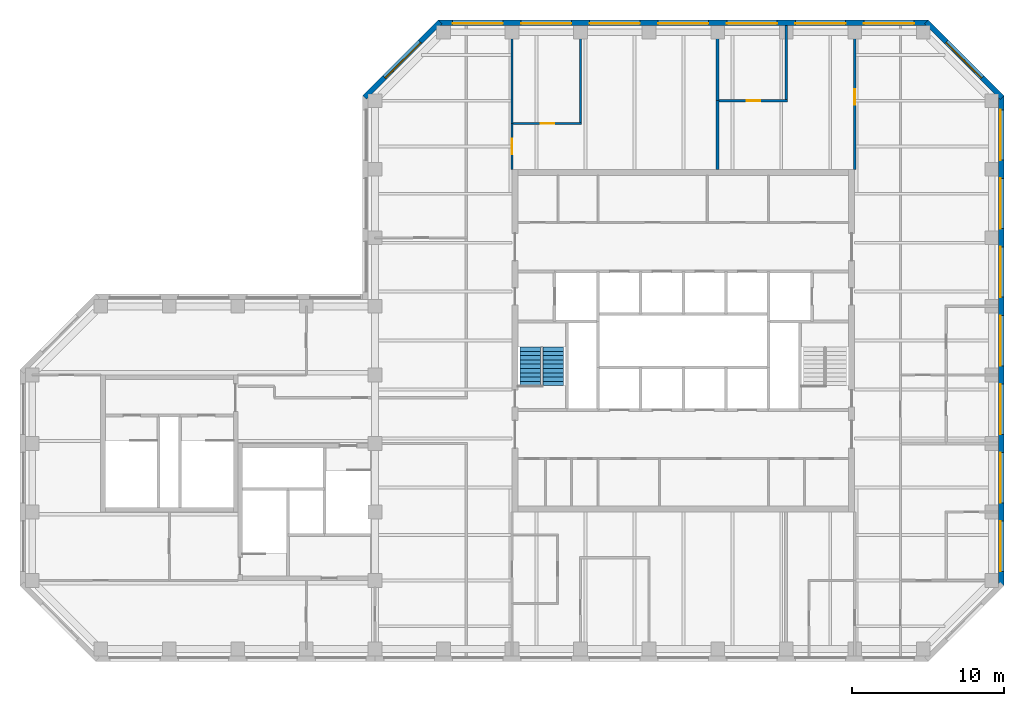
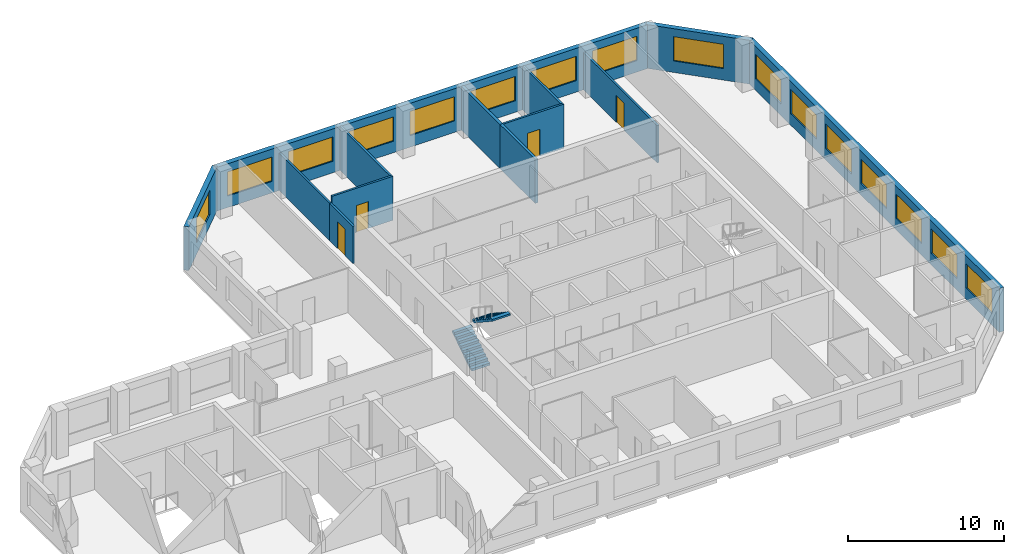
# One storey, part 7 of 9: 16 windows, 13 walls, 4 doors, 2 stair flights, 20 openings, 1 element without a shape of its own.
"""IFC4 building model written with IfcOpenShell, lengths in metres."""

from ifc_helpers import new_model, si_unit, direction, frame, frame_2d, origin, place, context, subcontext, project, spatial, polyline, rectangle, outline, extrude, material, layer, layer_set, constituent, constituent_set, type_object, element, fill, aggregate, save


model = new_model("IFC4")

# Units and contexts
model_context = context("Model", 3, precision=1e-05, world=origin(), true_north=direction((0.0, 1.0)))
body_context = subcontext(model_context, "Body", "Model", "MODEL_VIEW")
ifc_project = project(units=[si_unit("LENGTHUNIT", "METRE"), si_unit("AREAUNIT", "SQUARE_METRE"), si_unit("VOLUMEUNIT", "CUBIC_METRE"), si_unit("PLANEANGLEUNIT", "RADIAN"), si_unit("MASSUNIT", "GRAM", prefix="KILO")], contexts=[model_context])

# Site, building, storey
site_placement = place(None, origin())
site = spatial("IfcSite", under=ifc_project, at=site_placement, CompositionType="ELEMENT")
building_placement = place(site_placement, origin())
building = spatial("IfcBuilding", under=site, at=building_placement, Name="Quoin Convention Tower", CompositionType="ELEMENT")
storey_placement = place(building_placement, frame((0.0, 0.0, 260.0)))
storey = spatial("IfcBuildingStorey", under=building, at=storey_placement, Name="L68", CompositionType="ELEMENT", Elevation=260.0)

# Wall, opening, door
ifc_material_1 = material(Name="Plasterboard")
ifc_layer_1 = layer(ifc_material_1, 0.012451171875, Name="Finish")
ifc_material_2 = material(Name="Steel stud framing", Category="steel")
ifc_layer_2 = layer(ifc_material_2, 0.125, Name="Structure")
ifc_layer_3 = layer(ifc_material_1, 0.012451171875, Name="Finish")
ifc_layer_set_1 = layer_set([ifc_layer_1, ifc_layer_2, ifc_layer_3], Name="Steel stud framing")
wall_type_1 = type_object("IfcWallType", Name="Acoustic partition 150", PredefinedType="PARTITIONING", material=ifc_layer_set_1)
wall_1_placement = place(storey_placement, frame((45.074951171875, 75.0, 0.0), z_axis=(0.0, 0.0, 1.0), x_axis=(1.0, 0.0, 0.0)))
wall_1 = element("IfcWall", 1, at=wall_1_placement, inside=storey, type_object=wall_type_1, Name="pw-L68-018", PredefinedType="PARTITIONING", context=body_context, shape_type="SweptSolid", body=[
    extrude(rectangle(XDim=4.5, YDim=0.14990234375, at=frame_2d((2.25, 0.0))), origin(), (0.0, 0.0, 1.0), 3.449951171875),
])
opening_1_placement = place(wall_1_placement, frame((1.800048828125, 0.0, 0.0)))
opening_1 = element("IfcOpeningElement", 2, at=opening_1_placement, cuts=wall_1, Name="Opening DOHS-05", PredefinedType="OPENING", context=body_context, shape_type="SweptSolid", body=[
    extrude(rectangle(XDim=0.89990234375, YDim=2.10009765625, at=frame_2d((0.449951171875, 1.050048828125))), frame((0.0, 0.0849609375, 0.0), z_axis=(0.0, -1.0, 0.0), x_axis=(1.0, 0.0, 0.0)), (0.0, 0.0, 1.0), 0.169921875),
])
ifc_material_3 = material(Name="Steel door leaf", Category="steel")
door_type_1 = type_object("IfcDoorType", Name="Office door 900 x 2100", OperationType="SINGLE_SWING_RIGHT", PredefinedType="DOOR", material=ifc_material_3)
door_1_placement = place(opening_1_placement, frame((0.89990234375, 0.0, 0.0), z_axis=(0.0, 0.0, 1.0), x_axis=(-1.0, 0.0, 0.0)))
door_1 = element("IfcDoor", 3, at=door_1_placement, inside=storey, type_object=door_type_1, Name="dr-L68-11", OperationType="SINGLE_SWING_LEFT", OverallHeight=2.10009765625, OverallWidth=0.89990234375, PredefinedType="DOOR", context=body_context, shape_type="SweptSolid", body=[
    extrude(rectangle(XDim=0.89990234375, YDim=2.10009765625, at=frame_2d((0.449951171875, 1.050048828125))), frame((0.0, 0.02490234375, 0.0), z_axis=(0.0, -1.0, 0.0), x_axis=(1.0, 0.0, 0.0)), (0.0, 0.0, 1.0), 0.050048828125),
])
fill(opening_1, door_1)

wall_2_placement = place(storey_placement, frame((58.60009765625, 76.5, 0.0), z_axis=(0.0, 0.0, 1.0), x_axis=(1.0, 0.0, 0.0)))
wall_2 = element("IfcWall", 4, at=wall_2_placement, inside=storey, type_object=wall_type_1, Name="pw-L68-019", PredefinedType="PARTITIONING", context=body_context, shape_type="SweptSolid", body=[
    extrude(rectangle(XDim=4.474853515625, YDim=0.14990234375, at=frame_2d((2.2373046875, 0.0))), origin(), (0.0, 0.0, 1.0), 3.449951171875),
])
opening_2_placement = place(wall_2_placement, frame((1.800048828125, 0.0, 0.0)))
opening_2 = element("IfcOpeningElement", 5, at=opening_2_placement, cuts=wall_2, Name="Opening DOHS-06", PredefinedType="OPENING", context=body_context, shape_type="SweptSolid", body=[
    extrude(rectangle(XDim=0.89990234375, YDim=2.10009765625, at=frame_2d((0.449951171875, 1.050048828125))), frame((0.0, 0.0849609375, 0.0), z_axis=(0.0, -1.0, 0.0), x_axis=(1.0, 0.0, 0.0)), (0.0, 0.0, 1.0), 0.169921875),
])
door_2_placement = place(opening_2_placement, frame((0.89990234375, 0.0, 0.0), z_axis=(0.0, 0.0, 1.0), x_axis=(-1.0, 0.0, 0.0)))
door_2 = element("IfcDoor", 6, at=door_2_placement, inside=storey, type_object=door_type_1, Name="dr-L68-13", OperationType="SINGLE_SWING_LEFT", OverallHeight=2.10009765625, OverallWidth=0.89990234375, PredefinedType="DOOR", context=body_context, shape_type="SweptSolid", body=[
    extrude(rectangle(XDim=0.89990234375, YDim=2.10009765625, at=frame_2d((0.449951171875, 1.050048828125))), frame((0.0, 0.02490234375, 0.0), z_axis=(0.0, -1.0, 0.0), x_axis=(1.0, 0.0, 0.0)), (0.0, 0.0, 1.0), 0.050048828125),
])
fill(opening_2, door_2)

# Walls
wall_3_placement = place(storey_placement, frame((49.5, 75.074951171875, 0.0), z_axis=(0.0, 0.0, 1.0), x_axis=(0.0, 1.0, 0.0)))
element("IfcWall", 7, at=wall_3_placement, inside=storey, type_object=wall_type_1, Name="pw-L68-048", PredefinedType="PARTITIONING", context=body_context, shape_type="SweptSolid", body=[
    extrude(rectangle(XDim=6.375, YDim=0.14990234375, at=frame_2d((3.1875, 0.0))), origin(), (0.0, 0.0, 1.0), 3.449951171875),
])
wall_4_placement = place(storey_placement, frame((63.0, 76.574951171875, 0.0), z_axis=(0.0, 0.0, 1.0), x_axis=(0.0, 1.0, 0.0)))
element("IfcWall", 8, at=wall_4_placement, inside=storey, type_object=wall_type_1, Name="pw-L68-050", PredefinedType="PARTITIONING", context=body_context, shape_type="SweptSolid", body=[
    extrude(rectangle(XDim=4.875, YDim=0.14990234375, at=frame_2d((2.4375, 0.0))), origin(), (0.0, 0.0, 1.0), 3.449951171875),
])

# Wall, openings, windows
ifc_material_4 = material(Name="Brick masonry", Category="masonry")
ifc_layer_4 = layer(ifc_material_4, 0.35009765625)
ifc_layer_set_2 = layer_set([ifc_layer_4], Name="Brick masonry")
wall_type_2 = type_object("IfcWallType", Name="Brick facade wall", PredefinedType="STANDARD", material=ifc_layer_set_2)
wall_5_placement = place(storey_placement, frame((77.125, 44.668701171875, 0.0), z_axis=(0.0, 0.0, 1.0), x_axis=(0.0, 1.0, 0.0)))
wall_5 = element("IfcWall", 9, at=wall_5_placement, inside=storey, type_object=wall_type_2, Name="fw-L68-76500_45000", PredefinedType="STANDARD", context=body_context, shape_type="SweptSolid", body=[
    extrude(rectangle(XDim=32.16259765625, YDim=0.35009765625, at=frame_2d((16.081298828125, 0.0))), origin(), (0.0, 0.0, 1.0), 3.425048828125),
])
opening_3_placement = place(wall_5_placement, frame((0.931396484375, 0.0, 0.89990234375)))
opening_3 = element("IfcOpeningElement", 10, at=opening_3_placement, cuts=wall_5, Name="Opening W-02", PredefinedType="OPENING", context=body_context, shape_type="SweptSolid", body=[
    extrude(rectangle(XDim=3.300048828125, YDim=1.89990234375, at=frame_2d((1.64990234375, 0.949951171875))), frame((0.0, 0.18505859375, 0.0), z_axis=(0.0, -1.0, 0.0), x_axis=(1.0, 0.0, 0.0)), (0.0, 0.0, 1.0), 0.3701171875),
])
opening_4_placement = place(wall_5_placement, frame((5.431396484375, 0.0, 0.89990234375)))
opening_4 = element("IfcOpeningElement", 11, at=opening_4_placement, cuts=wall_5, Name="Opening W-02", PredefinedType="OPENING", context=body_context, shape_type="SweptSolid", body=[
    extrude(rectangle(XDim=3.300048828125, YDim=1.89990234375, at=frame_2d((1.64990234375, 0.949951171875))), frame((0.0, 0.18505859375, 0.0), z_axis=(0.0, -1.0, 0.0), x_axis=(1.0, 0.0, 0.0)), (0.0, 0.0, 1.0), 0.3701171875),
])
opening_5_placement = place(wall_5_placement, frame((9.931396484375, 0.0, 0.89990234375)))
opening_5 = element("IfcOpeningElement", 12, at=opening_5_placement, cuts=wall_5, Name="Opening W-02", PredefinedType="OPENING", context=body_context, shape_type="SweptSolid", body=[
    extrude(rectangle(XDim=3.300048828125, YDim=1.89990234375, at=frame_2d((1.64990234375, 0.949951171875))), frame((0.0, 0.18505859375, 0.0), z_axis=(0.0, -1.0, 0.0), x_axis=(1.0, 0.0, 0.0)), (0.0, 0.0, 1.0), 0.3701171875),
])
opening_6_placement = place(wall_5_placement, frame((14.431396484375, 0.0, 0.89990234375)))
opening_6 = element("IfcOpeningElement", 13, at=opening_6_placement, cuts=wall_5, Name="Opening W-02", PredefinedType="OPENING", context=body_context, shape_type="SweptSolid", body=[
    extrude(rectangle(XDim=3.300048828125, YDim=1.89990234375, at=frame_2d((1.64990234375, 0.949951171875))), frame((0.0, 0.18505859375, 0.0), z_axis=(0.0, -1.0, 0.0), x_axis=(1.0, 0.0, 0.0)), (0.0, 0.0, 1.0), 0.3701171875),
])
opening_7_placement = place(wall_5_placement, frame((18.931396484375, 0.0, 0.89990234375)))
opening_7 = element("IfcOpeningElement", 14, at=opening_7_placement, cuts=wall_5, Name="Opening W-02", PredefinedType="OPENING", context=body_context, shape_type="SweptSolid", body=[
    extrude(rectangle(XDim=3.300048828125, YDim=1.89990234375, at=frame_2d((1.64990234375, 0.949951171875))), frame((0.0, 0.18505859375, 0.0), z_axis=(0.0, -1.0, 0.0), x_axis=(1.0, 0.0, 0.0)), (0.0, 0.0, 1.0), 0.3701171875),
])
opening_8_placement = place(wall_5_placement, frame((23.431396484375, 0.0, 0.89990234375)))
opening_8 = element("IfcOpeningElement", 15, at=opening_8_placement, cuts=wall_5, Name="Opening W-02", PredefinedType="OPENING", context=body_context, shape_type="SweptSolid", body=[
    extrude(rectangle(XDim=3.300048828125, YDim=1.89990234375, at=frame_2d((1.64990234375, 0.949951171875))), frame((0.0, 0.18505859375, 0.0), z_axis=(0.0, -1.0, 0.0), x_axis=(1.0, 0.0, 0.0)), (0.0, 0.0, 1.0), 0.3701171875),
])
opening_9_placement = place(wall_5_placement, frame((27.931396484375, 0.0, 0.89990234375)))
opening_9 = element("IfcOpeningElement", 16, at=opening_9_placement, cuts=wall_5, Name="Opening W-02", PredefinedType="OPENING", context=body_context, shape_type="SweptSolid", body=[
    extrude(rectangle(XDim=3.300048828125, YDim=1.89990234375, at=frame_2d((1.64990234375, 0.949951171875))), frame((0.0, 0.18505859375, 0.0), z_axis=(0.0, -1.0, 0.0), x_axis=(1.0, 0.0, 0.0)), (0.0, 0.0, 1.0), 0.3701171875),
])
ifc_material_5 = material(Name="Aluminium", Category="aluminium")
ifc_constituent_1 = constituent(ifc_material_5, Name="Frame")
ifc_material_6 = material(Name="Insulated glass", Category="glass")
ifc_constituent_2 = constituent(ifc_material_6, Name="Glazing")
ifc_constituent_set = constituent_set(constituents=[ifc_constituent_1, ifc_constituent_2], Name="Aluminium")
window_type = type_object("IfcWindowType", Name="Office window", PartitioningType="DOUBLE_PANEL_VERTICAL", PredefinedType="WINDOW", material=ifc_constituent_set)
window_1_placement = place(opening_3_placement, origin())
window_1 = element("IfcWindow", 17, at=window_1_placement, inside=storey, type_object=window_type, Name="win-L68-77125_47250", OverallHeight=1.89990234375, OverallWidth=3.300048828125, PartitioningType="SINGLE_PANEL", PredefinedType="WINDOW", context=body_context, shape_type="SweptSolid", body=[
    extrude(rectangle(XDim=3.300048828125, YDim=1.89990234375, at=frame_2d((1.64990234375, 0.949951171875))), frame((0.0, 0.0849609375, 0.0), z_axis=(0.0, -1.0, 0.0), x_axis=(1.0, 0.0, 0.0)), (0.0, 0.0, 1.0), 0.06005859375),
])
fill(opening_3, window_1)
window_2_placement = place(opening_4_placement, origin())
window_2 = element("IfcWindow", 18, at=window_2_placement, inside=storey, type_object=window_type, Name="win-L68-77125_51750", OverallHeight=1.89990234375, OverallWidth=3.300048828125, PartitioningType="SINGLE_PANEL", PredefinedType="WINDOW", context=body_context, shape_type="SweptSolid", body=[
    extrude(rectangle(XDim=3.300048828125, YDim=1.89990234375, at=frame_2d((1.64990234375, 0.949951171875))), frame((0.0, 0.0849609375, 0.0), z_axis=(0.0, -1.0, 0.0), x_axis=(1.0, 0.0, 0.0)), (0.0, 0.0, 1.0), 0.06005859375),
])
fill(opening_4, window_2)
window_3_placement = place(opening_5_placement, origin())
window_3 = element("IfcWindow", 19, at=window_3_placement, inside=storey, type_object=window_type, Name="win-L68-77125_56250", OverallHeight=1.89990234375, OverallWidth=3.300048828125, PartitioningType="SINGLE_PANEL", PredefinedType="WINDOW", context=body_context, shape_type="SweptSolid", body=[
    extrude(rectangle(XDim=3.300048828125, YDim=1.89990234375, at=frame_2d((1.64990234375, 0.949951171875))), frame((0.0, 0.0849609375, 0.0), z_axis=(0.0, -1.0, 0.0), x_axis=(1.0, 0.0, 0.0)), (0.0, 0.0, 1.0), 0.06005859375),
])
fill(opening_5, window_3)
window_4_placement = place(opening_6_placement, origin())
window_4 = element("IfcWindow", 20, at=window_4_placement, inside=storey, type_object=window_type, Name="win-L68-77125_60750", OverallHeight=1.89990234375, OverallWidth=3.300048828125, PartitioningType="SINGLE_PANEL", PredefinedType="WINDOW", context=body_context, shape_type="SweptSolid", body=[
    extrude(rectangle(XDim=3.300048828125, YDim=1.89990234375, at=frame_2d((1.64990234375, 0.949951171875))), frame((0.0, 0.0849609375, 0.0), z_axis=(0.0, -1.0, 0.0), x_axis=(1.0, 0.0, 0.0)), (0.0, 0.0, 1.0), 0.06005859375),
])
fill(opening_6, window_4)
window_5_placement = place(opening_7_placement, origin())
window_5 = element("IfcWindow", 21, at=window_5_placement, inside=storey, type_object=window_type, Name="win-L68-77125_65250", OverallHeight=1.89990234375, OverallWidth=3.300048828125, PartitioningType="SINGLE_PANEL", PredefinedType="WINDOW", context=body_context, shape_type="SweptSolid", body=[
    extrude(rectangle(XDim=3.300048828125, YDim=1.89990234375, at=frame_2d((1.64990234375, 0.949951171875))), frame((0.0, 0.0849609375, 0.0), z_axis=(0.0, -1.0, 0.0), x_axis=(1.0, 0.0, 0.0)), (0.0, 0.0, 1.0), 0.06005859375),
])
fill(opening_7, window_5)
window_6_placement = place(opening_8_placement, origin())
window_6 = element("IfcWindow", 22, at=window_6_placement, inside=storey, type_object=window_type, Name="win-L68-77125_69750", OverallHeight=1.89990234375, OverallWidth=3.300048828125, PartitioningType="SINGLE_PANEL", PredefinedType="WINDOW", context=body_context, shape_type="SweptSolid", body=[
    extrude(rectangle(XDim=3.300048828125, YDim=1.89990234375, at=frame_2d((1.64990234375, 0.949951171875))), frame((0.0, 0.0849609375, 0.0), z_axis=(0.0, -1.0, 0.0), x_axis=(1.0, 0.0, 0.0)), (0.0, 0.0, 1.0), 0.06005859375),
])
fill(opening_8, window_6)
window_7_placement = place(opening_9_placement, origin())
window_7 = element("IfcWindow", 23, at=window_7_placement, inside=storey, type_object=window_type, Name="win-L68-77125_74250", OverallHeight=1.89990234375, OverallWidth=3.300048828125, PartitioningType="SINGLE_PANEL", PredefinedType="WINDOW", context=body_context, shape_type="SweptSolid", body=[
    extrude(rectangle(XDim=3.300048828125, YDim=1.89990234375, at=frame_2d((1.64990234375, 0.949951171875))), frame((0.0, 0.0849609375, 0.0), z_axis=(0.0, -1.0, 0.0), x_axis=(1.0, 0.0, 0.0)), (0.0, 0.0, 1.0), 0.06005859375),
])
fill(opening_9, window_7)

# Wall, opening, window
wall_6_placement = place(storey_placement, frame((77.17626953125, 76.70751953125, 0.0), z_axis=(0.0, 0.0, 1.0), x_axis=(-0.707106781187, 0.707106781187, 0.0)))
wall_6 = element("IfcWall", 24, at=wall_6_placement, inside=storey, type_object=wall_type_2, Name="fw-L68-76500_76500", PredefinedType="STANDARD", context=body_context, shape_type="SweptSolid", body=[
    extrude(rectangle(XDim=7.02685546875, YDim=0.35009765625, at=frame_2d((3.513427734375, 0.0))), origin(), (0.0, 0.0, 1.0), 3.425048828125),
])
opening_10_placement = place(wall_6_placement, frame((1.86328125, 0.0, 0.89990234375)))
opening_10 = element("IfcOpeningElement", 25, at=opening_10_placement, cuts=wall_6, Name="Opening W-02", PredefinedType="OPENING", context=body_context, shape_type="SweptSolid", body=[
    extrude(rectangle(XDim=3.300048828125, YDim=1.89990234375, at=frame_2d((1.64990234375, 0.949951171875))), frame((0.0, 0.18505859375, 0.0), z_axis=(0.0, -1.0, 0.0), x_axis=(1.0, 0.0, 0.0)), (0.0, 0.0, 1.0), 0.3701171875),
])
window_8_placement = place(opening_10_placement, origin())
window_8 = element("IfcWindow", 26, at=window_8_placement, inside=storey, type_object=window_type, Name="win-L68-74692_79192", OverallHeight=1.89990234375, OverallWidth=3.300048828125, PartitioningType="SINGLE_PANEL", PredefinedType="WINDOW", context=body_context, shape_type="SweptSolid", body=[
    extrude(rectangle(XDim=3.300048828125, YDim=1.89990234375, at=frame_2d((1.64990234375, 0.949951171875))), frame((0.0, 0.0849609375, 0.0), z_axis=(0.0, -1.0, 0.0), x_axis=(1.0, 0.0, 0.0)), (0.0, 0.0, 1.0), 0.06005859375),
])
fill(opening_10, window_8)

# Wall, openings, windows
wall_7_placement = place(storey_placement, frame((72.331298828125, 81.625, 0.0), z_axis=(0.0, 0.0, 1.0), x_axis=(-1.0, 0.0, 0.0)))
wall_7 = element("IfcWall", 27, at=wall_7_placement, inside=storey, type_object=wall_type_2, Name="fw-L68-72000_81000", PredefinedType="STANDARD", context=body_context, shape_type="SweptSolid", body=[
    extrude(rectangle(XDim=32.16259765625, YDim=0.35009765625, at=frame_2d((16.081298828125, 0.0))), origin(), (0.0, 0.0, 1.0), 3.425048828125),
])
opening_11_placement = place(wall_7_placement, frame((0.931396484375, 0.0, 0.89990234375)))
opening_11 = element("IfcOpeningElement", 28, at=opening_11_placement, cuts=wall_7, Name="Opening W-02", PredefinedType="OPENING", context=body_context, shape_type="SweptSolid", body=[
    extrude(rectangle(XDim=3.300048828125, YDim=1.89990234375, at=frame_2d((1.64990234375, 0.949951171875))), frame((0.0, 0.18505859375, 0.0), z_axis=(0.0, -1.0, 0.0), x_axis=(1.0, 0.0, 0.0)), (0.0, 0.0, 1.0), 0.3701171875),
])
opening_12_placement = place(wall_7_placement, frame((5.431396484375, 0.0, 0.89990234375)))
opening_12 = element("IfcOpeningElement", 29, at=opening_12_placement, cuts=wall_7, Name="Opening W-02", PredefinedType="OPENING", context=body_context, shape_type="SweptSolid", body=[
    extrude(rectangle(XDim=3.300048828125, YDim=1.89990234375, at=frame_2d((1.64990234375, 0.949951171875))), frame((0.0, 0.18505859375, 0.0), z_axis=(0.0, -1.0, 0.0), x_axis=(1.0, 0.0, 0.0)), (0.0, 0.0, 1.0), 0.3701171875),
])
opening_13_placement = place(wall_7_placement, frame((9.931396484375, 0.0, 0.89990234375)))
opening_13 = element("IfcOpeningElement", 30, at=opening_13_placement, cuts=wall_7, Name="Opening W-02", PredefinedType="OPENING", context=body_context, shape_type="SweptSolid", body=[
    extrude(rectangle(XDim=3.300048828125, YDim=1.89990234375, at=frame_2d((1.64990234375, 0.949951171875))), frame((0.0, 0.18505859375, 0.0), z_axis=(0.0, -1.0, 0.0), x_axis=(1.0, 0.0, 0.0)), (0.0, 0.0, 1.0), 0.3701171875),
])
opening_14_placement = place(wall_7_placement, frame((14.431396484375, 0.0, 0.89990234375)))
opening_14 = element("IfcOpeningElement", 31, at=opening_14_placement, cuts=wall_7, Name="Opening W-02", PredefinedType="OPENING", context=body_context, shape_type="SweptSolid", body=[
    extrude(rectangle(XDim=3.300048828125, YDim=1.89990234375, at=frame_2d((1.64990234375, 0.949951171875))), frame((0.0, 0.18505859375, 0.0), z_axis=(0.0, -1.0, 0.0), x_axis=(1.0, 0.0, 0.0)), (0.0, 0.0, 1.0), 0.3701171875),
])
opening_15_placement = place(wall_7_placement, frame((18.931396484375, 0.0, 0.89990234375)))
opening_15 = element("IfcOpeningElement", 32, at=opening_15_placement, cuts=wall_7, Name="Opening W-02", PredefinedType="OPENING", context=body_context, shape_type="SweptSolid", body=[
    extrude(rectangle(XDim=3.300048828125, YDim=1.89990234375, at=frame_2d((1.64990234375, 0.949951171875))), frame((0.0, 0.18505859375, 0.0), z_axis=(0.0, -1.0, 0.0), x_axis=(1.0, 0.0, 0.0)), (0.0, 0.0, 1.0), 0.3701171875),
])
opening_16_placement = place(wall_7_placement, frame((23.431396484375, 0.0, 0.89990234375)))
opening_16 = element("IfcOpeningElement", 33, at=opening_16_placement, cuts=wall_7, Name="Opening W-02", PredefinedType="OPENING", context=body_context, shape_type="SweptSolid", body=[
    extrude(rectangle(XDim=3.300048828125, YDim=1.89990234375, at=frame_2d((1.64990234375, 0.949951171875))), frame((0.0, 0.18505859375, 0.0), z_axis=(0.0, -1.0, 0.0), x_axis=(1.0, 0.0, 0.0)), (0.0, 0.0, 1.0), 0.3701171875),
])
opening_17_placement = place(wall_7_placement, frame((27.931396484375, 0.0, 0.89990234375)))
opening_17 = element("IfcOpeningElement", 34, at=opening_17_placement, cuts=wall_7, Name="Opening W-02", PredefinedType="OPENING", context=body_context, shape_type="SweptSolid", body=[
    extrude(rectangle(XDim=3.300048828125, YDim=1.89990234375, at=frame_2d((1.64990234375, 0.949951171875))), frame((0.0, 0.18505859375, 0.0), z_axis=(0.0, -1.0, 0.0), x_axis=(1.0, 0.0, 0.0)), (0.0, 0.0, 1.0), 0.3701171875),
])
window_9_placement = place(opening_11_placement, origin())
window_9 = element("IfcWindow", 35, at=window_9_placement, inside=storey, type_object=window_type, Name="win-L68-69750_81625", OverallHeight=1.89990234375, OverallWidth=3.300048828125, PartitioningType="SINGLE_PANEL", PredefinedType="WINDOW", context=body_context, shape_type="SweptSolid", body=[
    extrude(rectangle(XDim=3.300048828125, YDim=1.89990234375, at=frame_2d((1.64990234375, 0.949951171875))), frame((0.0, 0.0849609375, 0.0), z_axis=(0.0, -1.0, 0.0), x_axis=(1.0, 0.0, 0.0)), (0.0, 0.0, 1.0), 0.06005859375),
])
fill(opening_11, window_9)
window_10_placement = place(opening_12_placement, origin())
window_10 = element("IfcWindow", 36, at=window_10_placement, inside=storey, type_object=window_type, Name="win-L68-65250_81625", OverallHeight=1.89990234375, OverallWidth=3.300048828125, PartitioningType="SINGLE_PANEL", PredefinedType="WINDOW", context=body_context, shape_type="SweptSolid", body=[
    extrude(rectangle(XDim=3.300048828125, YDim=1.89990234375, at=frame_2d((1.64990234375, 0.949951171875))), frame((0.0, 0.0849609375, 0.0), z_axis=(0.0, -1.0, 0.0), x_axis=(1.0, 0.0, 0.0)), (0.0, 0.0, 1.0), 0.06005859375),
])
fill(opening_12, window_10)
window_11_placement = place(opening_13_placement, origin())
window_11 = element("IfcWindow", 37, at=window_11_placement, inside=storey, type_object=window_type, Name="win-L68-60750_81625", OverallHeight=1.89990234375, OverallWidth=3.300048828125, PartitioningType="SINGLE_PANEL", PredefinedType="WINDOW", context=body_context, shape_type="SweptSolid", body=[
    extrude(rectangle(XDim=3.300048828125, YDim=1.89990234375, at=frame_2d((1.64990234375, 0.949951171875))), frame((0.0, 0.0849609375, 0.0), z_axis=(0.0, -1.0, 0.0), x_axis=(1.0, 0.0, 0.0)), (0.0, 0.0, 1.0), 0.06005859375),
])
fill(opening_13, window_11)
window_12_placement = place(opening_14_placement, origin())
window_12 = element("IfcWindow", 38, at=window_12_placement, inside=storey, type_object=window_type, Name="win-L68-56250_81625", OverallHeight=1.89990234375, OverallWidth=3.300048828125, PartitioningType="SINGLE_PANEL", PredefinedType="WINDOW", context=body_context, shape_type="SweptSolid", body=[
    extrude(rectangle(XDim=3.300048828125, YDim=1.89990234375, at=frame_2d((1.64990234375, 0.949951171875))), frame((0.0, 0.0849609375, 0.0), z_axis=(0.0, -1.0, 0.0), x_axis=(1.0, 0.0, 0.0)), (0.0, 0.0, 1.0), 0.06005859375),
])
fill(opening_14, window_12)
window_13_placement = place(opening_15_placement, origin())
window_13 = element("IfcWindow", 39, at=window_13_placement, inside=storey, type_object=window_type, Name="win-L68-51750_81625", OverallHeight=1.89990234375, OverallWidth=3.300048828125, PartitioningType="SINGLE_PANEL", PredefinedType="WINDOW", context=body_context, shape_type="SweptSolid", body=[
    extrude(rectangle(XDim=3.300048828125, YDim=1.89990234375, at=frame_2d((1.64990234375, 0.949951171875))), frame((0.0, 0.0849609375, 0.0), z_axis=(0.0, -1.0, 0.0), x_axis=(1.0, 0.0, 0.0)), (0.0, 0.0, 1.0), 0.06005859375),
])
fill(opening_15, window_13)
window_14_placement = place(opening_16_placement, origin())
window_14 = element("IfcWindow", 40, at=window_14_placement, inside=storey, type_object=window_type, Name="win-L68-47250_81625", OverallHeight=1.89990234375, OverallWidth=3.300048828125, PartitioningType="SINGLE_PANEL", PredefinedType="WINDOW", context=body_context, shape_type="SweptSolid", body=[
    extrude(rectangle(XDim=3.300048828125, YDim=1.89990234375, at=frame_2d((1.64990234375, 0.949951171875))), frame((0.0, 0.0849609375, 0.0), z_axis=(0.0, -1.0, 0.0), x_axis=(1.0, 0.0, 0.0)), (0.0, 0.0, 1.0), 0.06005859375),
])
fill(opening_16, window_14)
window_15_placement = place(opening_17_placement, origin())
window_15 = element("IfcWindow", 41, at=window_15_placement, inside=storey, type_object=window_type, Name="win-L68-42750_81625", OverallHeight=1.89990234375, OverallWidth=3.300048828125, PartitioningType="SINGLE_PANEL", PredefinedType="WINDOW", context=body_context, shape_type="SweptSolid", body=[
    extrude(rectangle(XDim=3.300048828125, YDim=1.89990234375, at=frame_2d((1.64990234375, 0.949951171875))), frame((0.0, 0.0849609375, 0.0), z_axis=(0.0, -1.0, 0.0), x_axis=(1.0, 0.0, 0.0)), (0.0, 0.0, 1.0), 0.06005859375),
])
fill(opening_17, window_15)

# Wall, opening, window
wall_8_placement = place(storey_placement, frame((40.29248046875, 81.67626953125, 0.0), z_axis=(0.0, 0.0, 1.0), x_axis=(-0.707106781187, -0.707106781187, 0.0)))
wall_8 = element("IfcWall", 42, at=wall_8_placement, inside=storey, type_object=wall_type_2, Name="fw-L68-40500_81000", PredefinedType="STANDARD", context=body_context, shape_type="SweptSolid", body=[
    extrude(rectangle(XDim=7.02685546875, YDim=0.35009765625, at=frame_2d((3.513427734375, 0.0))), origin(), (0.0, 0.0, 1.0), 3.425048828125),
])
opening_18_placement = place(wall_8_placement, frame((1.86328125, 0.0, 0.89990234375)))
opening_18 = element("IfcOpeningElement", 43, at=opening_18_placement, cuts=wall_8, Name="Opening W-02", PredefinedType="OPENING", context=body_context, shape_type="SweptSolid", body=[
    extrude(rectangle(XDim=3.300048828125, YDim=1.89990234375, at=frame_2d((1.64990234375, 0.949951171875))), frame((0.0, 0.18505859375, 0.0), z_axis=(0.0, -1.0, 0.0), x_axis=(1.0, 0.0, 0.0)), (0.0, 0.0, 1.0), 0.3701171875),
])
window_16_placement = place(opening_18_placement, origin())
window_16 = element("IfcWindow", 44, at=window_16_placement, inside=storey, type_object=window_type, Name="win-L68-37808_79192", OverallHeight=1.89990234375, OverallWidth=3.300048828125, PartitioningType="SINGLE_PANEL", PredefinedType="WINDOW", context=body_context, shape_type="SweptSolid", body=[
    extrude(rectangle(XDim=3.300048828125, YDim=1.89990234375, at=frame_2d((1.64990234375, 0.949951171875))), frame((0.0, 0.0849609375, 0.0), z_axis=(0.0, -1.0, 0.0), x_axis=(1.0, 0.0, 0.0)), (0.0, 0.0, 1.0), 0.06005859375),
])
fill(opening_18, window_16)

# Wall, opening, door
ifc_layer_5 = layer(ifc_material_1, 0.012451171875, Name="Finish")
ifc_layer_6 = layer(ifc_material_2, 0.125, Name="Structure")
ifc_layer_7 = layer(ifc_material_1, 0.012451171875, Name="Finish")
ifc_layer_set_3 = layer_set([ifc_layer_5, ifc_layer_6, ifc_layer_7], Name="Steel stud framing")
wall_type_3 = type_object("IfcWallType", Name="Corridor wall 150 under beam 528", PredefinedType="PARTITIONING", material=ifc_layer_set_3)
wall_9_placement = place(storey_placement, frame((45.0, 72.0, 0.0), z_axis=(0.0, 0.0, 1.0), x_axis=(0.0, 1.0, 0.0)))
wall_9 = element("IfcWall", 45, at=wall_9_placement, inside=storey, type_object=wall_type_3, Name="pw-L68-044", PredefinedType="PARTITIONING", context=body_context, shape_type="SweptSolid", body=[
    extrude(rectangle(XDim=3.0, YDim=0.14990234375, at=frame_2d((1.5, 0.0))), origin(), (0.0, 0.0, 1.0), 2.922119140625),
])
opening_19_placement = place(wall_9_placement, frame((1.0, 0.0, 0.0)))
opening_19 = element("IfcOpeningElement", 46, at=opening_19_placement, cuts=wall_9, Name="Opening DOHS-17", PredefinedType="OPENING", context=body_context, shape_type="SweptSolid", body=[
    extrude(rectangle(XDim=1.0, YDim=2.10009765625, at=frame_2d((0.5, 1.050048828125))), frame((0.0, 0.0849609375, 0.0), z_axis=(0.0, -1.0, 0.0), x_axis=(1.0, 0.0, 0.0)), (0.0, 0.0, 1.0), 0.169921875),
])
door_type_2 = type_object("IfcDoorType", Name="Tenancy entrance door 1000 x 2100", OperationType="DOUBLE_DOOR_SINGLE_SWING", PredefinedType="DOOR", material=ifc_material_3)
door_3_placement = place(opening_19_placement, frame((1.0, 0.0, 0.0), z_axis=(0.0, 0.0, 1.0), x_axis=(-1.0, 0.0, 0.0)))
door_3 = element("IfcDoor", 47, at=door_3_placement, inside=storey, type_object=door_type_2, Name="dr-L68-10", OperationType="DOUBLE_DOOR_SINGLE_SWING", OverallHeight=2.10009765625, OverallWidth=1.0, PredefinedType="DOOR", context=body_context, shape_type="SweptSolid", body=[
    extrude(rectangle(XDim=1.0, YDim=2.10009765625, at=frame_2d((0.5, 1.050048828125))), frame((0.0, 0.02490234375, 0.0), z_axis=(0.0, -1.0, 0.0), x_axis=(1.0, 0.0, 0.0)), (0.0, 0.0, 1.0), 0.050048828125),
])
fill(opening_19, door_3)

wall_10_placement = place(storey_placement, frame((67.5, 72.0, 0.0), z_axis=(0.0, 0.0, 1.0), x_axis=(0.0, 1.0, 0.0)))
wall_10 = element("IfcWall", 48, at=wall_10_placement, inside=storey, type_object=wall_type_3, Name="pw-L68-046", PredefinedType="PARTITIONING", context=body_context, shape_type="SweptSolid", body=[
    extrude(rectangle(XDim=9.449951171875, YDim=0.14990234375, at=frame_2d((4.72509765625, 0.0))), origin(), (0.0, 0.0, 1.0), 2.922119140625),
])
opening_20_placement = place(wall_10_placement, frame((4.25, 0.0, 0.0)))
opening_20 = element("IfcOpeningElement", 49, at=opening_20_placement, cuts=wall_10, Name="Opening DOHS-18", PredefinedType="OPENING", context=body_context, shape_type="SweptSolid", body=[
    extrude(rectangle(XDim=1.0, YDim=2.10009765625, at=frame_2d((0.5, 1.050048828125))), frame((0.0, 0.0849609375, 0.0), z_axis=(0.0, -1.0, 0.0), x_axis=(1.0, 0.0, 0.0)), (0.0, 0.0, 1.0), 0.169921875),
])
door_4_placement = place(opening_20_placement, origin())
door_4 = element("IfcDoor", 50, at=door_4_placement, inside=storey, type_object=door_type_2, Name="dr-L68-12", OperationType="DOUBLE_DOOR_SINGLE_SWING", OverallHeight=2.10009765625, OverallWidth=1.0, PredefinedType="DOOR", context=body_context, shape_type="SweptSolid", body=[
    extrude(rectangle(XDim=1.0, YDim=2.10009765625, at=frame_2d((0.5, 1.050048828125))), frame((0.0, 0.02490234375, 0.0), z_axis=(0.0, -1.0, 0.0), x_axis=(1.0, 0.0, 0.0)), (0.0, 0.0, 1.0), 0.050048828125),
])
fill(opening_20, door_4)

# Walls
wall_11_placement = place(storey_placement, frame((45.0, 75.0, 0.0), z_axis=(0.0, 0.0, 1.0), x_axis=(0.0, 1.0, 0.0)))
element("IfcWall", 51, at=wall_11_placement, inside=storey, type_object=wall_type_3, Name="pw-L68-047", PredefinedType="PARTITIONING", context=body_context, shape_type="SweptSolid", body=[
    extrude(rectangle(XDim=6.449951171875, YDim=0.14990234375, at=frame_2d((3.22509765625, 0.0))), origin(), (0.0, 0.0, 1.0), 2.922119140625),
])
ifc_layer_8 = layer(ifc_material_1, 0.012451171875, Name="Finish")
ifc_layer_9 = layer(ifc_material_2, 0.175048828125, Name="Structure")
ifc_layer_10 = layer(ifc_material_1, 0.012451171875, Name="Finish")
ifc_layer_set_4 = layer_set([ifc_layer_8, ifc_layer_9, ifc_layer_10], Name="Steel stud framing")
wall_type_4 = type_object("IfcWallType", Name="Tenancy demising wall 200", PredefinedType="PARTITIONING", material=ifc_layer_set_4)
wall_12_placement = place(storey_placement, frame((58.5, 72.0, 0.0), z_axis=(0.0, 0.0, 1.0), x_axis=(0.0, 1.0, 0.0)))
element("IfcWall", 52, at=wall_12_placement, inside=storey, type_object=wall_type_4, Name="pw-L68-045", PredefinedType="PARTITIONING", context=body_context, shape_type="SweptSolid", body=[
    extrude(rectangle(XDim=4.5, YDim=0.199951171875, at=frame_2d((2.25, 0.0))), origin(), (0.0, 0.0, 1.0), 3.449951171875),
])
wall_13_placement = place(storey_placement, frame((58.5, 76.5, 0.0), z_axis=(0.0, 0.0, 1.0), x_axis=(0.0, 1.0, 0.0)))
element("IfcWall", 53, at=wall_13_placement, inside=storey, type_object=wall_type_4, Name="pw-L68-049", PredefinedType="PARTITIONING", context=body_context, shape_type="SweptSolid", body=[
    extrude(rectangle(XDim=4.949951171875, YDim=0.199951171875, at=frame_2d((2.47509765625, 0.0))), origin(), (0.0, 0.0, 1.0), 3.449951171875),
])

# Stair, stair flights
ifc_material_7 = material(Name="Concrete C40", Category="concrete")
stair_type = type_object("IfcStairType", Name="Exit stair two-flight 1350", PredefinedType="HALF_TURN_STAIR", material=ifc_material_7)
stair_placement = place(storey_placement, origin())
stair = element("IfcStair", 54, at=stair_placement, inside=storey, type_object=stair_type, Name="SD1 L68", PredefinedType="HALF_TURN_STAIR")
stair_flight_type = type_object("IfcStairFlightType", Name="Stair flight 1350", PredefinedType="STRAIGHT", material=ifc_material_7)
stair_flight_1_placement = place(storey_placement, frame((46.199951171875, 57.800048828125, 0.0), z_axis=(0.0, 0.0, 1.0), x_axis=(0.0, 1.0, 0.0)))
stair_flight_1 = element("IfcStairFlight", 55, at=stair_flight_1_placement, type_object=stair_flight_type, Name="ST1 flight 1", NumberOfRisers=10, NumberOfTreads=9, PredefinedType="STRAIGHT", RiserHeight=0.185, TreadLength=0.28, context=body_context, shape_type="SweptSolid", body=[
    extrude(outline(polyline([(0.0, 0.0), (0.0, 0.18505859375), (0.280029296875, 0.18505859375), (0.280029296875, 0.3701171875), (0.56005859375, 0.3701171875), (0.56005859375, 0.554931640625), (0.840087890625, 0.554931640625), (0.840087890625, 0.739990234375), (1.1201171875, 0.739990234375), (1.1201171875, 0.925048828125), (1.39990234375, 0.925048828125), (1.39990234375, 1.110107421875), (1.679931640625, 1.110107421875), (1.679931640625, 1.294921875), (1.9599609375, 1.294921875), (1.9599609375, 1.47998046875), (2.239990234375, 1.47998046875), (2.239990234375, 1.6650390625), (2.52001953125, 1.6650390625), (2.52001953125, 1.85009765625), (2.52001953125, 1.52099609375), (0.218017578125, 0.0), (0.0, 0.0)])), frame((0.0, 0.675048828125, 0.0), z_axis=(0.0, -1.0, 0.0), x_axis=(1.0, 0.0, 0.0)), (0.0, 0.0, 1.0), 1.35009765625),
])
stair_flight_2_placement = place(storey_placement, frame((47.699951171875, 60.320068359375, 1.85009765625), z_axis=(0.0, 0.0, 1.0), x_axis=(0.0, -1.0, 0.0)))
stair_flight_2 = element("IfcStairFlight", 56, at=stair_flight_2_placement, type_object=stair_flight_type, Name="ST1 flight 2", NumberOfRisers=10, NumberOfTreads=9, PredefinedType="STRAIGHT", RiserHeight=0.185, TreadLength=0.28, context=body_context, shape_type="SweptSolid", body=[
    extrude(outline(polyline([(0.0, 0.0), (0.0, 0.18505859375), (0.280029296875, 0.18505859375), (0.280029296875, 0.3701171875), (0.56005859375, 0.3701171875), (0.56005859375, 0.554931640625), (0.840087890625, 0.554931640625), (0.840087890625, 0.739990234375), (1.1201171875, 0.739990234375), (1.1201171875, 0.925048828125), (1.39990234375, 0.925048828125), (1.39990234375, 1.110107421875), (1.679931640625, 1.110107421875), (1.679931640625, 1.294921875), (1.9599609375, 1.294921875), (1.9599609375, 1.47998046875), (2.239990234375, 1.47998046875), (2.239990234375, 1.6650390625), (2.52001953125, 1.6650390625), (2.52001953125, 1.85009765625), (2.52001953125, 1.52099609375), (0.218017578125, 0.0), (0.0, 0.0)])), frame((0.0, 0.675048828125, 0.0), z_axis=(0.0, -1.0, 0.0), x_axis=(1.0, 0.0, 0.0)), (0.0, 0.0, 1.0), 1.35009765625),
])
aggregate(stair, [stair_flight_1, stair_flight_2])

save(model, "model.ifc")
